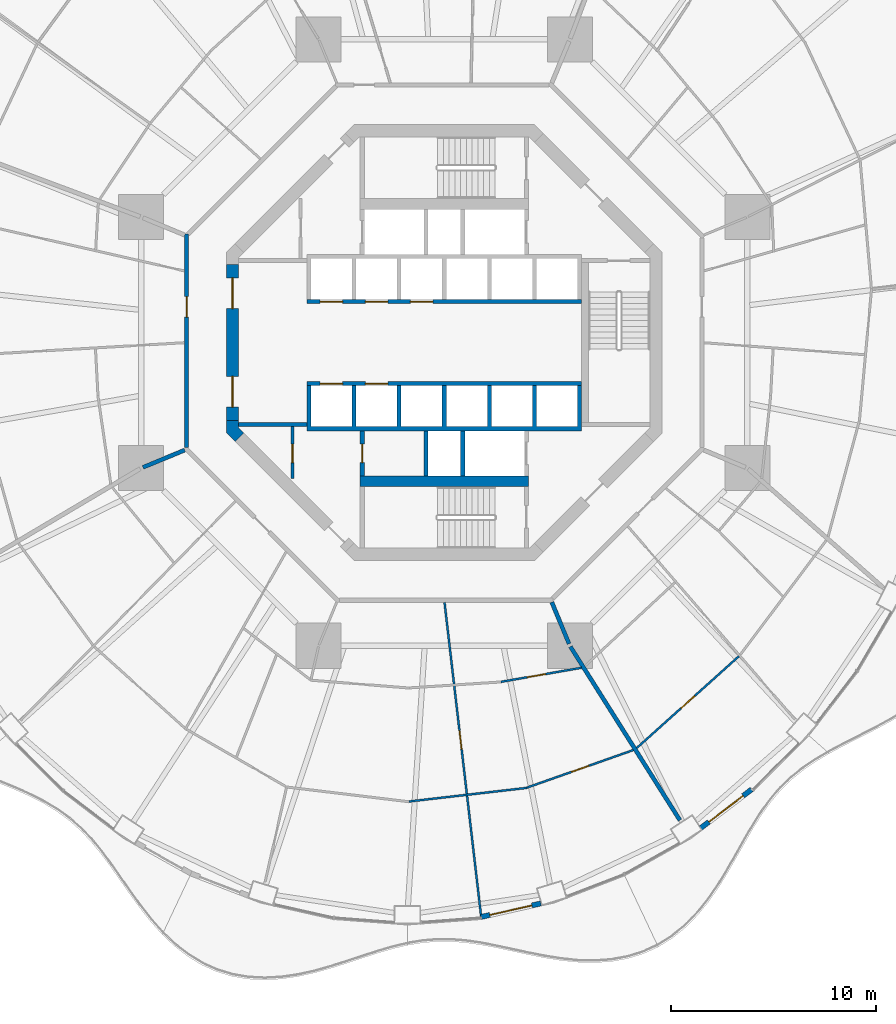
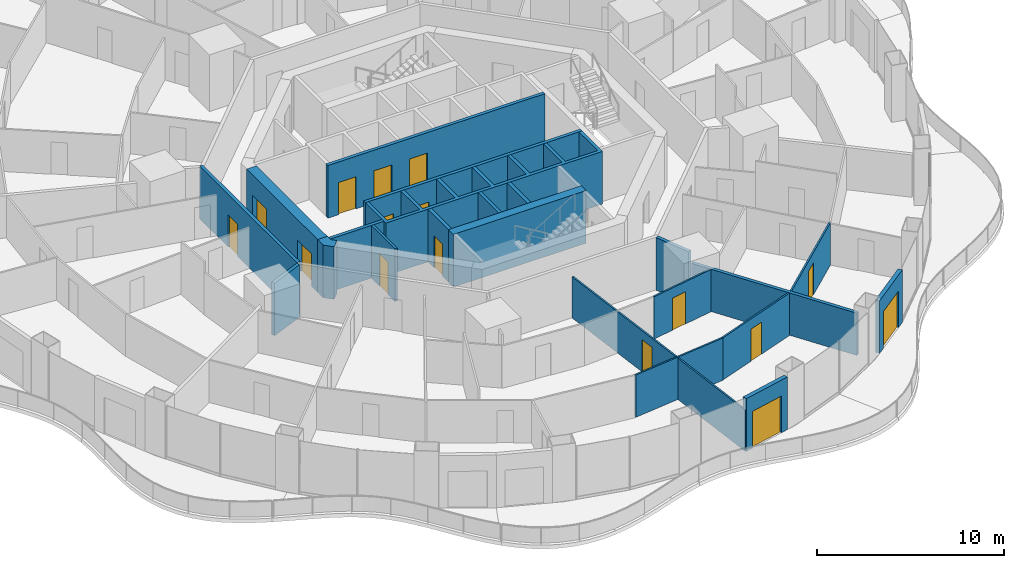
# One storey, part 15 of 22: 22 walls, 16 doors, 16 openings.
"""IFC4 building model written with IfcOpenShell, lengths in metres."""

from ifc_helpers import new_model, si_unit, direction, frame, frame_2d, origin, place, context, subcontext, project, spatial, polyline, rectangle, outline, extrude, material, layer, layer_set, type_object, element, fill, save


model = new_model("IFC4")

# Units and contexts
model_context = context("Model", 3, precision=1e-05, world=origin(), true_north=direction((0.0, 1.0)))
body_context = subcontext(model_context, "Body", "Model", "MODEL_VIEW")
ifc_project = project(units=[si_unit("LENGTHUNIT", "METRE"), si_unit("AREAUNIT", "SQUARE_METRE"), si_unit("VOLUMEUNIT", "CUBIC_METRE"), si_unit("PLANEANGLEUNIT", "RADIAN"), si_unit("MASSUNIT", "GRAM", prefix="KILO")], contexts=[model_context])

# Site, building, storey
site_placement = place(None, origin())
site = spatial("IfcSite", under=ifc_project, at=site_placement, CompositionType="ELEMENT")
building_placement = place(site_placement, origin())
building = spatial("IfcBuilding", under=site, at=building_placement, Name="Nagisa Residences", CompositionType="ELEMENT")
storey_placement = place(building_placement, frame((0.0, 0.0, 91.800048828125)))
storey = spatial("IfcBuildingStorey", under=building, at=storey_placement, Name="L22", CompositionType="ELEMENT", Elevation=91.800048828125)

# Walls
ifc_material_1 = material(Name="Gypsum board on steel studs", Category="steel")
ifc_layer_1 = layer(ifc_material_1, 0.199951171875)
ifc_layer_set_1 = layer_set([ifc_layer_1], Name="Apartment compartment wall EI60 200")
wall_type_1 = type_object("IfcWallType", Name="Apartment compartment wall EI60 200", PredefinedType="PARTITIONING", material=ifc_layer_set_1)
wall_1_placement = place(storey_placement, frame((-12.6572265625, -5.24267578125, 0.0), z_axis=(0.0, 0.0, 1.0), x_axis=(-0.923876145736, -0.382691608661, 0.0)))
element("IfcWall", 1, at=wall_1_placement, inside=storey, type_object=wall_type_1, Name="wall:L22:u04", PredefinedType="PARTITIONING", context=body_context, shape_type="SweptSolid", body=[
    extrude(rectangle(XDim=2.19970703125, YDim=0.199951171875, at=frame_2d((1.099853515625, 0.0))), origin(), (0.0, 0.0, 1.0), 3.43994140625),
])
wall_2_placement = place(storey_placement, frame((5.24267578125, -12.6572265625, 0.0), z_axis=(0.0, 0.0, 1.0), x_axis=(0.382747093259, -0.923853160736, 0.0)))
element("IfcWall", 2, at=wall_2_placement, inside=storey, type_object=wall_type_1, Name="wall:L22:u06", PredefinedType="PARTITIONING", context=body_context, shape_type="SweptSolid", body=[
    extrude(rectangle(XDim=2.199951171875, YDim=0.199951171875, at=frame_2d((1.10009765625, 0.0))), origin(), (0.0, 0.0, 1.0), 3.43994140625),
])
wall_3_placement = place(storey_placement, frame((6.149658203125, -14.824462890625, 0.0), z_axis=(0.0, 0.0, 1.0), x_axis=(0.533492589682, -0.845804739142, 0.0)))
element("IfcWall", 3, at=wall_3_placement, inside=storey, type_object=wall_type_1, Name="wall:L22:u07", PredefinedType="PARTITIONING", context=body_context, shape_type="SweptSolid", body=[
    extrude(rectangle(XDim=10.006103515625, YDim=0.199951171875, at=frame_2d((5.0029296875, 0.0))), origin(), (0.0, 0.0, 1.0), 2.761962890625),
])

# Wall, opening, door
ifc_material_2 = material(Name="Gypsum board on steel studs", Category="steel")
ifc_layer_2 = layer(ifc_material_2, 0.199951171875)
ifc_layer_set_2 = layer_set([ifc_layer_2], Name="Apartment entry wall EI60 200")
wall_type_2 = type_object("IfcWallType", Name="Apartment entry wall EI60 200", PredefinedType="PARTITIONING", material=ifc_layer_set_2)
wall_4_placement = place(storey_placement, frame((-12.564697265625, 5.304443359375, 0.0), z_axis=(0.0, 0.0, 1.0), x_axis=(0.0, -1.0, 0.0)))
wall_4 = element("IfcWall", 4, at=wall_4_placement, inside=storey, type_object=wall_type_2, Name="wall:L22:u14", PredefinedType="PARTITIONING", context=body_context, shape_type="SweptSolid", body=[
    extrude(rectangle(XDim=10.408935546875, YDim=0.199951171875, at=frame_2d((5.20458984375, 0.0))), origin(), (0.0, 0.0, 1.0), 3.43994140625),
])
opening_1_placement = place(wall_4_placement, frame((3.069580078125, 0.0, 0.0)))
opening_1 = element("IfcOpeningElement", 5, at=opening_1_placement, cuts=wall_4, Name="Opening L22-U17", PredefinedType="OPENING", context=body_context, shape_type="SweptSolid", body=[
    extrude(rectangle(XDim=1.0, YDim=2.10009765625, at=frame_2d((0.5, 1.050048828125))), frame((0.0, 0.10986328125, 0.0), z_axis=(0.0, -1.0, 0.0), x_axis=(1.0, 0.0, 0.0)), (0.0, 0.0, 1.0), 0.219970703125),
])
ifc_material_3 = material(Name="Timber fire door set", Category="wood")
door_type_1 = type_object("IfcDoorType", Name="Apartment entry door FD30S 1000x2100", OperationType="NOTDEFINED", PredefinedType="DOOR", material=ifc_material_3)
door_1_placement = place(opening_1_placement, frame((1.0, 0.0, 0.0), x_axis=(-1.0, 0.0, 0.0)))
door_1 = element("IfcDoor", 6, at=door_1_placement, inside=storey, type_object=door_type_1, Name="Entry door, Apartment 22B", OperationType="SINGLE_SWING_RIGHT", OverallHeight=2.10009765625, OverallWidth=1.0, PredefinedType="DOOR", context=body_context, shape_type="SweptSolid", body=[
    extrude(rectangle(XDim=1.0, YDim=2.10009765625, at=frame_2d((0.5, 1.050048828125))), frame((0.0, 0.02490234375, 0.0), z_axis=(0.0, -1.0, 0.0), x_axis=(1.0, 0.0, 0.0)), (0.0, 0.0, 1.0), 0.050048828125),
])
fill(opening_1, door_1)

# Wall
ifc_material_4 = material(Name="Gypsum board on steel studs", Category="steel")
ifc_layer_3 = layer(ifc_material_4, 0.10009765625)
ifc_layer_set_3 = layer_set([ifc_layer_3], Name="Apartment partition 100")
wall_type_3 = type_object("IfcWallType", Name="Apartment partition 100", PredefinedType="PARTITIONING", material=ifc_layer_set_3)
wall_5_placement = place(storey_placement, frame((-1.7255859375, -22.375244140625, 0.0), z_axis=(0.0, 0.0, 1.0), x_axis=(0.993392336919, 0.114767874207, 0.0)))
element("IfcWall", 7, at=wall_5_placement, inside=storey, type_object=wall_type_3, Name="wall:L22:u79", PredefinedType="PARTITIONING", context=body_context, shape_type="SweptSolid", body=[
    extrude(rectangle(XDim=5.801025390625, YDim=0.10009765625, at=frame_2d((2.900390625, 0.0))), origin(), (0.0, 0.0, 1.0), 2.761962890625),
])

# Wall, opening, door
wall_6_placement = place(storey_placement, frame((0.011474609375, -12.6640625, 0.0), z_axis=(0.0, 0.0, 1.0), x_axis=(0.115841404661, -0.993267722704, 0.0)))
wall_6 = element("IfcWall", 8, at=wall_6_placement, inside=storey, type_object=wall_type_3, Name="wall:L22:u80", PredefinedType="PARTITIONING", context=body_context, shape_type="SweptSolid", body=[
    extrude(rectangle(XDim=15.5283203125, YDim=0.10009765625, at=frame_2d((7.76416015625, 0.0))), origin(), (0.0, 0.0, 1.0), 2.68701171875),
])
opening_2_placement = place(wall_6_placement, frame((6.302734375, 0.0, 0.0)))
opening_2 = element("IfcOpeningElement", 9, at=opening_2_placement, cuts=wall_6, Name="Opening L22-U33", PredefinedType="OPENING", context=body_context, shape_type="SweptSolid", body=[
    extrude(rectangle(XDim=0.89990234375, YDim=2.10009765625, at=frame_2d((0.449951171875, 1.050048828125))), frame((0.0, 0.06005859375, 0.0), z_axis=(0.0, -1.0, 0.0), x_axis=(1.0, 0.0, 0.0)), (0.0, 0.0, 1.0), 0.1201171875),
])
ifc_material_5 = material(Name="Timber door set", Category="wood")
door_type_2 = type_object("IfcDoorType", Name="Apartment door 900x2100", OperationType="NOTDEFINED", PredefinedType="DOOR", material=ifc_material_5)
door_2_placement = place(opening_2_placement, origin())
door_2 = element("IfcDoor", 10, at=door_2_placement, inside=storey, type_object=door_type_2, Name="Door to kitchen, Apartment 22C", OperationType="SINGLE_SWING_LEFT", OverallHeight=2.10009765625, OverallWidth=0.89990234375, PredefinedType="DOOR", context=body_context, shape_type="SweptSolid", body=[
    extrude(rectangle(XDim=0.89990234375, YDim=2.10009765625, at=frame_2d((0.449951171875, 1.050048828125))), frame((0.0, 0.02490234375, 0.0), z_axis=(0.0, -1.0, 0.0), x_axis=(1.0, 0.0, 0.0)), (0.0, 0.0, 1.0), 0.050048828125),
])
fill(opening_2, door_2)

wall_7_placement = place(storey_placement, frame((2.76513671875, -16.541015625, 0.0), z_axis=(0.0, 0.0, 1.0), x_axis=(0.984998714702, 0.172561676036, 0.0)))
wall_7 = element("IfcWall", 11, at=wall_7_placement, inside=storey, type_object=wall_type_3, Name="wall:L22:u81", PredefinedType="PARTITIONING", context=body_context, shape_type="SweptSolid", body=[
    extrude(rectangle(XDim=3.984130859375, YDim=0.10009765625, at=frame_2d((1.9921875, 0.0))), origin(), (0.0, 0.0, 1.0), 2.761962890625),
])
opening_3_placement = place(wall_7_placement, frame((1.3037109375, 0.0, 0.0)))
opening_3 = element("IfcOpeningElement", 12, at=opening_3_placement, cuts=wall_7, Name="Opening L22-U36", PredefinedType="OPENING", context=body_context, shape_type="SweptSolid", body=[
    extrude(rectangle(XDim=0.89990234375, YDim=2.10009765625, at=frame_2d((0.449951171875, 1.050048828125))), frame((0.0, 0.06005859375, 0.0), z_axis=(0.0, -1.0, 0.0), x_axis=(1.0, 0.0, 0.0)), (0.0, 0.0, 1.0), 0.1201171875),
])
door_3_placement = place(opening_3_placement, origin())
door_3 = element("IfcDoor", 13, at=door_3_placement, inside=storey, type_object=door_type_2, Name="Door to laundry, Apartment 22C", OperationType="SINGLE_SWING_RIGHT", OverallHeight=2.10009765625, OverallWidth=0.89990234375, PredefinedType="DOOR", context=body_context, shape_type="SweptSolid", body=[
    extrude(rectangle(XDim=0.89990234375, YDim=2.10009765625, at=frame_2d((0.449951171875, 1.050048828125))), frame((0.0, 0.02490234375, 0.0), z_axis=(0.0, -1.0, 0.0), x_axis=(1.0, 0.0, 0.0)), (0.0, 0.0, 1.0), 0.050048828125),
])
fill(opening_3, door_3)

wall_8_placement = place(storey_placement, frame((4.034423828125, -21.698486328125, 0.0), z_axis=(0.0, 0.0, 1.0), x_axis=(0.942861482644, 0.33318497047, 0.0)))
wall_8 = element("IfcWall", 14, at=wall_8_placement, inside=storey, type_object=wall_type_3, Name="wall:L22:u82", PredefinedType="PARTITIONING", context=body_context, shape_type="SweptSolid", body=[
    extrude(rectangle(XDim=5.494873046875, YDim=0.10009765625, at=frame_2d((2.74755859375, 0.0))), origin(), (0.0, 0.0, 1.0), 2.761962890625),
])
opening_4_placement = place(wall_8_placement, frame((2.29736328125, 0.0, 0.0)))
opening_4 = element("IfcOpeningElement", 15, at=opening_4_placement, cuts=wall_8, Name="Opening L22-U34", PredefinedType="OPENING", context=body_context, shape_type="SweptSolid", body=[
    extrude(rectangle(XDim=0.89990234375, YDim=2.10009765625, at=frame_2d((0.449951171875, 1.050048828125))), frame((0.0, 0.06005859375, 0.0), z_axis=(0.0, -1.0, 0.0), x_axis=(1.0, 0.0, 0.0)), (0.0, 0.0, 1.0), 0.1201171875),
])
door_4_placement = place(opening_4_placement, frame((0.89990234375, 0.0, 0.0), x_axis=(-1.0, 0.0, 0.0)))
door_4 = element("IfcDoor", 16, at=door_4_placement, inside=storey, type_object=door_type_2, Name="Door to family room, Apartment 22C", OperationType="SINGLE_SWING_LEFT", OverallHeight=2.10009765625, OverallWidth=0.89990234375, PredefinedType="DOOR", context=body_context, shape_type="SweptSolid", body=[
    extrude(rectangle(XDim=0.89990234375, YDim=2.10009765625, at=frame_2d((0.449951171875, 1.050048828125))), frame((0.0, 0.02490234375, 0.0), z_axis=(0.0, -1.0, 0.0), x_axis=(1.0, 0.0, 0.0)), (0.0, 0.0, 1.0), 0.050048828125),
])
fill(opening_4, door_4)

wall_9_placement = place(storey_placement, frame((9.384033203125, -19.767578125, 0.0), z_axis=(0.0, 0.0, 1.0), x_axis=(0.74387407395, 0.668319805262, 0.0)))
wall_9 = element("IfcWall", 17, at=wall_9_placement, inside=storey, type_object=wall_type_3, Name="wall:L22:u84", PredefinedType="PARTITIONING", context=body_context, shape_type="SweptSolid", body=[
    extrude(rectangle(XDim=6.6953125, YDim=0.10009765625, at=frame_2d((3.34765625, 0.0))), origin(), (0.0, 0.0, 1.0), 2.761962890625),
])
opening_5_placement = place(wall_9_placement, frame((2.897705078125, 0.0, 0.0)))
opening_5 = element("IfcOpeningElement", 18, at=opening_5_placement, cuts=wall_9, Name="Opening L22-U42", PredefinedType="OPENING", context=body_context, shape_type="SweptSolid", body=[
    extrude(rectangle(XDim=0.89990234375, YDim=2.10009765625, at=frame_2d((0.449951171875, 1.050048828125))), frame((0.0, 0.06005859375, 0.0), z_axis=(0.0, -1.0, 0.0), x_axis=(1.0, 0.0, 0.0)), (0.0, 0.0, 1.0), 0.1201171875),
])
door_5_placement = place(opening_5_placement, frame((0.89990234375, 0.0, 0.0), x_axis=(-1.0, 0.0, 0.0)))
door_5 = element("IfcDoor", 19, at=door_5_placement, inside=storey, type_object=door_type_2, Name="Door to family room, Apartment 22D", OperationType="SINGLE_SWING_LEFT", OverallHeight=2.10009765625, OverallWidth=0.89990234375, PredefinedType="DOOR", context=body_context, shape_type="SweptSolid", body=[
    extrude(rectangle(XDim=0.89990234375, YDim=2.10009765625, at=frame_2d((0.449951171875, 1.050048828125))), frame((0.0, 0.02490234375, 0.0), z_axis=(0.0, -1.0, 0.0), x_axis=(1.0, 0.0, 0.0)), (0.0, 0.0, 1.0), 0.050048828125),
])
fill(opening_5, door_5)

ifc_material_6 = material(Name="Precast concrete C40/50", Category="concrete")
ifc_layer_4 = layer(ifc_material_6, 0.25)
ifc_layer_set_4 = layer_set([ifc_layer_4], Name="BALCONY DOOR WALL 250")
wall_type_4 = type_object("IfcWallType", Name="BALCONY DOOR WALL 250", PredefinedType="SOLIDWALL", material=ifc_layer_set_4)
wall_10_placement = place(storey_placement, frame((4.70654296875, -27.344970703125, 0.0), z_axis=(0.0, 0.0, 1.0), x_axis=(-0.975317607872, -0.220806620767, 0.0)))
wall_10 = element("IfcWall", 20, at=wall_10_placement, inside=storey, type_object=wall_type_4, Name="wall:L22:bay37", PredefinedType="SOLIDWALL", context=body_context, shape_type="SweptSolid", body=[
    extrude(rectangle(XDim=2.9931640625, YDim=0.25, at=frame_2d((1.49658203125, 0.0))), origin(), (0.0, 0.0, 1.0), 3.43994140625),
])
opening_6_placement = place(wall_10_placement, frame((0.446533203125, 0.0, 0.0)))
opening_6 = element("IfcOpeningElement", 21, at=opening_6_placement, cuts=wall_10, Name="Opening BD-L22-13", PredefinedType="OPENING", context=body_context, shape_type="SweptSolid", body=[
    extrude(rectangle(XDim=2.10009765625, YDim=2.39990234375, at=frame_2d((1.050048828125, 1.199951171875))), frame((0.0, 0.135009765625, 0.0), z_axis=(0.0, -1.0, 0.0), x_axis=(1.0, 0.0, 0.0)), (0.0, 0.0, 1.0), 0.27001953125),
])
ifc_material_7 = material(Name="Aluminium and clear glass", Category="aluminium")
door_type_3 = type_object("IfcDoorType", Name="BALCONY SLIDING DOOR 2100x2400", OperationType="SLIDING_TO_LEFT", PredefinedType="DOOR", material=ifc_material_7)
door_6_placement = place(opening_6_placement, origin())
door_6 = element("IfcDoor", 22, at=door_6_placement, inside=storey, type_object=door_type_3, Name="door:L22:bay37", OperationType="SLIDING_TO_LEFT", OverallHeight=2.39990234375, OverallWidth=2.10009765625, PredefinedType="DOOR", context=body_context, shape_type="SweptSolid", body=[
    extrude(rectangle(XDim=2.10009765625, YDim=2.39990234375, at=frame_2d((1.050048828125, 1.199951171875))), frame((0.0, 0.02490234375, 0.0), z_axis=(0.0, -1.0, 0.0), x_axis=(1.0, 0.0, 0.0)), (0.0, 0.0, 1.0), 0.050048828125),
])
fill(opening_6, door_6)

wall_11_placement = place(storey_placement, frame((14.98388671875, -21.785400390625, 0.0), z_axis=(0.0, 0.0, 1.0), x_axis=(-0.796037575978, -0.605247203736, 0.0)))
wall_11 = element("IfcWall", 23, at=wall_11_placement, inside=storey, type_object=wall_type_4, Name="wall:L22:bay40", PredefinedType="SOLIDWALL", context=body_context, shape_type="SweptSolid", body=[
    extrude(rectangle(XDim=3.1337890625, YDim=0.25, at=frame_2d((1.56689453125, 0.0))), origin(), (0.0, 0.0, 1.0), 3.43994140625),
])
opening_7_placement = place(wall_11_placement, frame((0.51708984375, 0.0, 0.0)))
opening_7 = element("IfcOpeningElement", 24, at=opening_7_placement, cuts=wall_11, Name="Opening BD-L22-14", PredefinedType="OPENING", context=body_context, shape_type="SweptSolid", body=[
    extrude(rectangle(XDim=2.10009765625, YDim=2.39990234375, at=frame_2d((1.050048828125, 1.199951171875))), frame((0.0, 0.135009765625, 0.0), z_axis=(0.0, -1.0, 0.0), x_axis=(1.0, 0.0, 0.0)), (0.0, 0.0, 1.0), 0.27001953125),
])
door_7_placement = place(opening_7_placement, origin())
door_7 = element("IfcDoor", 25, at=door_7_placement, inside=storey, type_object=door_type_3, Name="door:L22:bay40", OperationType="SLIDING_TO_LEFT", OverallHeight=2.39990234375, OverallWidth=2.10009765625, PredefinedType="DOOR", context=body_context, shape_type="SweptSolid", body=[
    extrude(rectangle(XDim=2.10009765625, YDim=2.39990234375, at=frame_2d((1.050048828125, 1.199951171875))), frame((0.0, 0.02490234375, 0.0), z_axis=(0.0, -1.0, 0.0), x_axis=(1.0, 0.0, 0.0)), (0.0, 0.0, 1.0), 0.050048828125),
])
fill(opening_7, door_7)

ifc_material_8 = material(Name="Gypsum board on steel studs", Category="steel")
ifc_layer_5 = layer(ifc_material_8, 0.14990234375)
ifc_layer_set_5 = layer_set([ifc_layer_5], Name="Core partition 150")
wall_type_5 = type_object("IfcWallType", Name="Core partition 150", PredefinedType="PARTITIONING", material=ifc_layer_set_5)
wall_12_placement = place(storey_placement, frame((-7.39990234375, -6.626953125, 0.0), z_axis=(0.0, 0.0, 1.0), x_axis=(0.0, 1.0, 0.0)))
wall_12 = element("IfcWall", 26, at=wall_12_placement, inside=storey, type_object=wall_type_5, Name="wall:L22:SWp", PredefinedType="PARTITIONING", context=body_context, shape_type="SweptSolid", body=[
    extrude(rectangle(XDim=2.52685546875, YDim=0.14990234375, at=frame_2d((1.263427734375, 0.0))), origin(), (0.0, 0.0, 1.0), 3.43994140625),
])
opening_8_placement = place(wall_12_placement, frame((0.77587890625, 0.0, 0.0)))
opening_8 = element("IfcOpeningElement", 27, at=opening_8_placement, cuts=wall_12, Name="Opening L22-C13", PredefinedType="OPENING", context=body_context, shape_type="SweptSolid", body=[
    extrude(rectangle(XDim=0.89990234375, YDim=2.10009765625, at=frame_2d((0.449951171875, 1.050048828125))), frame((0.0, 0.0849609375, 0.0), z_axis=(0.0, -1.0, 0.0), x_axis=(1.0, 0.0, 0.0)), (0.0, 0.0, 1.0), 0.169921875),
])
ifc_material_9 = material(Name="Steel fire door", Category="steel")
door_type_4 = type_object("IfcDoorType", Name="Fire door EI30 900x2100 single swing", OperationType="NOTDEFINED", PredefinedType="DOOR", material=ifc_material_9)
door_8_placement = place(opening_8_placement, origin())
door_8 = element("IfcDoor", 28, at=door_8_placement, inside=storey, type_object=door_type_4, Name="Valet store door L22", OperationType="SINGLE_SWING_RIGHT", OverallHeight=2.10009765625, OverallWidth=0.89990234375, PredefinedType="DOOR", context=body_context, shape_type="SweptSolid", body=[
    extrude(rectangle(XDim=0.89990234375, YDim=2.10009765625, at=frame_2d((0.449951171875, 1.050048828125))), frame((0.0, 0.02490234375, 0.0), z_axis=(0.0, -1.0, 0.0), x_axis=(1.0, 0.0, 0.0)), (0.0, 0.0, 1.0), 0.050048828125),
])
fill(opening_8, door_8)

# Wall
ifc_material_10 = material(Name="Gypsum board on steel studs", Category="steel")
ifc_layer_6 = layer(ifc_material_10, 0.199951171875)
ifc_layer_set_6 = layer_set([ifc_layer_6], Name="Core partition 200")
wall_type_6 = type_object("IfcWallType", Name="Core partition 200", PredefinedType="PARTITIONING", material=ifc_layer_set_6)
wall_13_placement = place(storey_placement, frame((-10.024658203125, -4.0, 0.0), z_axis=(0.0, 0.0, 1.0), x_axis=(1.0, 0.0, 0.0)))
element("IfcWall", 29, at=wall_13_placement, inside=storey, type_object=wall_type_6, Name="wall:L22:PSW", PredefinedType="PARTITIONING", context=body_context, shape_type="SweptSolid", body=[
    extrude(rectangle(XDim=3.32470703125, YDim=0.199951171875, at=frame_2d((1.662353515625, 0.0))), origin(), (0.0, 0.0, 1.0), 3.43994140625),
])

# Wall, openings, doors
ifc_material_11 = material(Name="Concrete C60", Category="concrete")
ifc_layer_7 = layer(ifc_material_11, 0.60009765625)
ifc_layer_set_7 = layer_set([ifc_layer_7], Name="Core shear wall 600")
wall_type_7 = type_object("IfcWallType", Name="Core shear wall 600", PredefinedType="SHEAR", material=ifc_layer_set_7)
wall_14_placement = place(storey_placement, frame((-10.32470703125, 3.80078125, 0.0), z_axis=(0.0, 0.0, 1.0), x_axis=(0.0, -1.0, 0.0)))
wall_14 = element("IfcWall", 30, at=wall_14_placement, inside=storey, type_object=wall_type_7, Name="wall:L22:core:flat4", PredefinedType="SHEAR", context=body_context, shape_type="SweptSolid", body=[
    extrude(rectangle(XDim=7.6015625, YDim=0.60009765625, at=frame_2d((3.80078125, 0.0))), origin(), (0.0, 0.0, 1.0), 3.43994140625),
])
opening_9_placement = place(wall_14_placement, frame((0.65087890625, 0.0, 0.0)))
opening_9 = element("IfcOpeningElement", 31, at=opening_9_placement, cuts=wall_14, Name="Opening L22-C17", PredefinedType="OPENING", context=body_context, shape_type="SweptSolid", body=[
    extrude(rectangle(XDim=1.5, YDim=2.10009765625, at=frame_2d((0.75, 1.050048828125))), frame((0.0, 0.31005859375, 0.0), z_axis=(0.0, -1.0, 0.0), x_axis=(1.0, 0.0, 0.0)), (0.0, 0.0, 1.0), 0.6201171875),
])
opening_10_placement = place(wall_14_placement, frame((5.450927734375, 0.0, 0.0)))
opening_10 = element("IfcOpeningElement", 32, at=opening_10_placement, cuts=wall_14, Name="Opening L22-C18", PredefinedType="OPENING", context=body_context, shape_type="SweptSolid", body=[
    extrude(rectangle(XDim=1.5, YDim=2.10009765625, at=frame_2d((0.75, 1.050048828125))), frame((0.0, 0.31005859375, 0.0), z_axis=(0.0, -1.0, 0.0), x_axis=(1.0, 0.0, 0.0)), (0.0, 0.0, 1.0), 0.6201171875),
])
ifc_material_12 = material(Name="Steel fire door", Category="steel")
door_type_5 = type_object("IfcDoorType", Name="Fire door EI60 1500x2100 double door single swing", OperationType="DOUBLE_DOOR_SINGLE_SWING", PredefinedType="DOOR", material=ifc_material_12)
door_9_placement = place(opening_9_placement, origin())
door_9 = element("IfcDoor", 33, at=door_9_placement, inside=storey, type_object=door_type_5, Name="Lift lobby door L22 1", OperationType="DOUBLE_DOOR_SINGLE_SWING", OverallHeight=2.10009765625, OverallWidth=1.5, PredefinedType="DOOR", context=body_context, shape_type="SweptSolid", body=[
    extrude(rectangle(XDim=1.5, YDim=2.10009765625, at=frame_2d((0.75, 1.050048828125))), frame((0.0, 0.02490234375, 0.0), z_axis=(0.0, -1.0, 0.0), x_axis=(1.0, 0.0, 0.0)), (0.0, 0.0, 1.0), 0.050048828125),
])
fill(opening_9, door_9)
door_10_placement = place(opening_10_placement, origin())
door_10 = element("IfcDoor", 34, at=door_10_placement, inside=storey, type_object=door_type_5, Name="Lift lobby door L22 2", OperationType="DOUBLE_DOOR_SINGLE_SWING", OverallHeight=2.10009765625, OverallWidth=1.5, PredefinedType="DOOR", context=body_context, shape_type="SweptSolid", body=[
    extrude(rectangle(XDim=1.5, YDim=2.10009765625, at=frame_2d((0.75, 1.050048828125))), frame((0.0, 0.02490234375, 0.0), z_axis=(0.0, -1.0, 0.0), x_axis=(1.0, 0.0, 0.0)), (0.0, 0.0, 1.0), 0.050048828125),
])
fill(opening_10, door_10)

# Wall
wall_15_placement = place(storey_placement, origin())
element("IfcWall", 35, at=wall_15_placement, inside=storey, type_object=wall_type_7, Name="wall:L22:core:pier4", PredefinedType="SHEAR", context=body_context, shape_type="SweptSolid", body=[
    extrude(outline(polyline([(-10.62451171875, -3.80078125), (-10.024658203125, -3.80078125), (-10.024658203125, -4.15234375), (-9.776123046875, -4.40087890625), (-10.200439453125, -4.8251953125), (-10.62451171875, -4.40087890625), (-10.62451171875, -3.80078125)])), origin(), (0.0, 0.0, 1.0), 3.43994140625),
])

# Wall, openings, doors
ifc_material_13 = material(Name="Concrete C60", Category="concrete")
ifc_layer_8 = layer(ifc_material_13, 0.199951171875)
ifc_layer_set_8 = layer_set([ifc_layer_8], Name="Lift shaft wall 200")
wall_type_8 = type_object("IfcWallType", Name="Lift shaft wall 200", PredefinedType="SOLIDWALL", material=ifc_layer_set_8)
wall_16_placement = place(storey_placement, frame((-6.699951171875, 2.0, 0.0), z_axis=(0.0, 0.0, 1.0), x_axis=(1.0, 0.0, 0.0)))
wall_16 = element("IfcWall", 36, at=wall_16_placement, inside=storey, type_object=wall_type_8, Name="wall:L22:Nfront", PredefinedType="SOLIDWALL", context=body_context, shape_type="SweptSolid", body=[
    extrude(rectangle(XDim=13.39990234375, YDim=0.199951171875, at=frame_2d((6.699951171875, 0.0))), origin(), (0.0, 0.0, 1.0), 3.43994140625),
])
opening_11_placement = place(wall_16_placement, frame((0.64990234375, 0.0, 0.0)))
opening_11 = element("IfcOpeningElement", 37, at=opening_11_placement, cuts=wall_16, Name="Opening L22-C01", PredefinedType="OPENING", context=body_context, shape_type="SweptSolid", body=[
    extrude(rectangle(XDim=1.10009765625, YDim=2.10009765625, at=frame_2d((0.550048828125, 1.050048828125))), frame((0.0, 0.10986328125, 0.0), z_axis=(0.0, -1.0, 0.0), x_axis=(1.0, 0.0, 0.0)), (0.0, 0.0, 1.0), 0.219970703125),
])
opening_12_placement = place(wall_16_placement, frame((2.85009765625, 0.0, 0.0)))
opening_12 = element("IfcOpeningElement", 38, at=opening_12_placement, cuts=wall_16, Name="Opening L22-C02", PredefinedType="OPENING", context=body_context, shape_type="SweptSolid", body=[
    extrude(rectangle(XDim=1.10009765625, YDim=2.10009765625, at=frame_2d((0.550048828125, 1.050048828125))), frame((0.0, 0.10986328125, 0.0), z_axis=(0.0, -1.0, 0.0), x_axis=(1.0, 0.0, 0.0)), (0.0, 0.0, 1.0), 0.219970703125),
])
opening_13_placement = place(wall_16_placement, frame((5.050048828125, 0.0, 0.0)))
opening_13 = element("IfcOpeningElement", 39, at=opening_13_placement, cuts=wall_16, Name="Opening L22-C03", PredefinedType="OPENING", context=body_context, shape_type="SweptSolid", body=[
    extrude(rectangle(XDim=1.10009765625, YDim=2.10009765625, at=frame_2d((0.550048828125, 1.050048828125))), frame((0.0, 0.10986328125, 0.0), z_axis=(0.0, -1.0, 0.0), x_axis=(1.0, 0.0, 0.0)), (0.0, 0.0, 1.0), 0.219970703125),
])
ifc_material_14 = material(Name="Stainless steel", Category="steel")
door_type_6 = type_object("IfcDoorType", Name="Lift landing door 1100x2100", OperationType="DOUBLE_DOOR_SLIDING", PredefinedType="DOOR", material=ifc_material_14)
door_11_placement = place(opening_11_placement, origin())
door_11 = element("IfcDoor", 40, at=door_11_placement, inside=storey, type_object=door_type_6, Name="Landing door A1 L22", OperationType="DOUBLE_DOOR_SLIDING", OverallHeight=2.10009765625, OverallWidth=1.10009765625, PredefinedType="DOOR", context=body_context, shape_type="SweptSolid", body=[
    extrude(rectangle(XDim=1.10009765625, YDim=2.10009765625, at=frame_2d((0.550048828125, 1.050048828125))), frame((0.0, 0.02490234375, 0.0), z_axis=(0.0, -1.0, 0.0), x_axis=(1.0, 0.0, 0.0)), (0.0, 0.0, 1.0), 0.050048828125),
])
fill(opening_11, door_11)
door_12_placement = place(opening_12_placement, origin())
door_12 = element("IfcDoor", 41, at=door_12_placement, inside=storey, type_object=door_type_6, Name="Landing door A2 L22", OperationType="DOUBLE_DOOR_SLIDING", OverallHeight=2.10009765625, OverallWidth=1.10009765625, PredefinedType="DOOR", context=body_context, shape_type="SweptSolid", body=[
    extrude(rectangle(XDim=1.10009765625, YDim=2.10009765625, at=frame_2d((0.550048828125, 1.050048828125))), frame((0.0, 0.02490234375, 0.0), z_axis=(0.0, -1.0, 0.0), x_axis=(1.0, 0.0, 0.0)), (0.0, 0.0, 1.0), 0.050048828125),
])
fill(opening_12, door_12)
door_13_placement = place(opening_13_placement, origin())
door_13 = element("IfcDoor", 42, at=door_13_placement, inside=storey, type_object=door_type_6, Name="Landing door A3 L22", OperationType="DOUBLE_DOOR_SLIDING", OverallHeight=2.10009765625, OverallWidth=1.10009765625, PredefinedType="DOOR", context=body_context, shape_type="SweptSolid", body=[
    extrude(rectangle(XDim=1.10009765625, YDim=2.10009765625, at=frame_2d((0.550048828125, 1.050048828125))), frame((0.0, 0.02490234375, 0.0), z_axis=(0.0, -1.0, 0.0), x_axis=(1.0, 0.0, 0.0)), (0.0, 0.0, 1.0), 0.050048828125),
])
fill(opening_13, door_13)

# Wall, opening, door
wall_17_placement = place(storey_placement, frame((-4.0, -6.5, 0.0), z_axis=(0.0, 0.0, 1.0), x_axis=(0.0, 1.0, 0.0)))
wall_17 = element("IfcWall", 43, at=wall_17_placement, inside=storey, type_object=wall_type_8, Name="wall:L22:Sb4", PredefinedType="SOLIDWALL", context=body_context, shape_type="SweptSolid", body=[
    extrude(rectangle(XDim=2.199951171875, YDim=0.199951171875, at=frame_2d((1.10009765625, 0.0))), origin(), (0.0, 0.0, 1.0), 3.43994140625),
])
opening_14_placement = place(wall_17_placement, frame((0.64990234375, 0.0, 0.0)))
opening_14 = element("IfcOpeningElement", 44, at=opening_14_placement, cuts=wall_17, Name="Opening L22-C14", PredefinedType="OPENING", context=body_context, shape_type="SweptSolid", body=[
    extrude(rectangle(XDim=0.89990234375, YDim=2.10009765625, at=frame_2d((0.449951171875, 1.050048828125))), frame((0.0, 0.10986328125, 0.0), z_axis=(0.0, -1.0, 0.0), x_axis=(1.0, 0.0, 0.0)), (0.0, 0.0, 1.0), 0.219970703125),
])
door_14_placement = place(opening_14_placement, frame((0.89990234375, 0.0, 0.0), x_axis=(-1.0, 0.0, 0.0)))
door_14 = element("IfcDoor", 45, at=door_14_placement, inside=storey, type_object=door_type_4, Name="Refuse room door L22", OperationType="SINGLE_SWING_LEFT", OverallHeight=2.10009765625, OverallWidth=0.89990234375, PredefinedType="DOOR", context=body_context, shape_type="SweptSolid", body=[
    extrude(rectangle(XDim=0.89990234375, YDim=2.10009765625, at=frame_2d((0.449951171875, 1.050048828125))), frame((0.0, 0.02490234375, 0.0), z_axis=(0.0, -1.0, 0.0), x_axis=(1.0, 0.0, 0.0)), (0.0, 0.0, 1.0), 0.050048828125),
])
fill(opening_14, door_14)

# Wall, openings, doors
wall_18_placement = place(storey_placement, frame((-6.699951171875, -2.0, 0.0), z_axis=(0.0, 0.0, 1.0), x_axis=(1.0, 0.0, 0.0)))
wall_18 = element("IfcWall", 46, at=wall_18_placement, inside=storey, type_object=wall_type_8, Name="wall:L22:Sfront", PredefinedType="SOLIDWALL", context=body_context, shape_type="SweptSolid", body=[
    extrude(rectangle(XDim=13.39990234375, YDim=0.199951171875, at=frame_2d((6.699951171875, 0.0))), origin(), (0.0, 0.0, 1.0), 3.43994140625),
])
opening_15_placement = place(wall_18_placement, frame((0.64990234375, 0.0, 0.0)))
opening_15 = element("IfcOpeningElement", 47, at=opening_15_placement, cuts=wall_18, Name="Opening L22-C04", PredefinedType="OPENING", context=body_context, shape_type="SweptSolid", body=[
    extrude(rectangle(XDim=1.10009765625, YDim=2.10009765625, at=frame_2d((0.550048828125, 1.050048828125))), frame((0.0, 0.10986328125, 0.0), z_axis=(0.0, -1.0, 0.0), x_axis=(1.0, 0.0, 0.0)), (0.0, 0.0, 1.0), 0.219970703125),
])
opening_16_placement = place(wall_18_placement, frame((2.85009765625, 0.0, 0.0)))
opening_16 = element("IfcOpeningElement", 48, at=opening_16_placement, cuts=wall_18, Name="Opening L22-C05", PredefinedType="OPENING", context=body_context, shape_type="SweptSolid", body=[
    extrude(rectangle(XDim=1.10009765625, YDim=2.10009765625, at=frame_2d((0.550048828125, 1.050048828125))), frame((0.0, 0.10986328125, 0.0), z_axis=(0.0, -1.0, 0.0), x_axis=(1.0, 0.0, 0.0)), (0.0, 0.0, 1.0), 0.219970703125),
])
door_15_placement = place(opening_15_placement, origin())
door_15 = element("IfcDoor", 49, at=door_15_placement, inside=storey, type_object=door_type_6, Name="Landing door A4 L22", OperationType="DOUBLE_DOOR_SLIDING", OverallHeight=2.10009765625, OverallWidth=1.10009765625, PredefinedType="DOOR", context=body_context, shape_type="SweptSolid", body=[
    extrude(rectangle(XDim=1.10009765625, YDim=2.10009765625, at=frame_2d((0.550048828125, 1.050048828125))), frame((0.0, 0.02490234375, 0.0), z_axis=(0.0, -1.0, 0.0), x_axis=(1.0, 0.0, 0.0)), (0.0, 0.0, 1.0), 0.050048828125),
])
fill(opening_15, door_15)
door_16_placement = place(opening_16_placement, origin())
door_16 = element("IfcDoor", 50, at=door_16_placement, inside=storey, type_object=door_type_6, Name="Landing door A5 L22", OperationType="DOUBLE_DOOR_SLIDING", OverallHeight=2.10009765625, OverallWidth=1.10009765625, PredefinedType="DOOR", context=body_context, shape_type="SweptSolid", body=[
    extrude(rectangle(XDim=1.10009765625, YDim=2.10009765625, at=frame_2d((0.550048828125, 1.050048828125))), frame((0.0, 0.02490234375, 0.0), z_axis=(0.0, -1.0, 0.0), x_axis=(1.0, 0.0, 0.0)), (0.0, 0.0, 1.0), 0.050048828125),
])
fill(opening_16, door_16)

# Walls
for number, where, z_axis, x_axis, name in (
    (51, (-0.89990234375, -6.5, 0.0), (0.0, 0.0, 1.0), (0.0, 1.0, 0.0), "wall:L22:Sb1"),
    (52, (0.89990234375, -6.5, 0.0), (0.0, 0.0, 1.0), (0.0, 1.0, 0.0), "wall:L22:Sb2"),
):
    element("IfcWall", number, at=place(storey_placement, frame(where, z_axis=z_axis, x_axis=x_axis)), inside=storey, type_object=wall_type_8, Name=name, PredefinedType="SOLIDWALL", context=body_context, shape_type="SweptSolid", body=[
        extrude(rectangle(XDim=2.199951171875, YDim=0.199951171875, at=frame_2d((1.10009765625, 0.0))), origin(), (0.0, 0.0, 1.0), 3.43994140625),
    ])
wall_19_placement = place(storey_placement, origin())
element("IfcWall", 53, at=wall_19_placement, inside=storey, type_object=wall_type_8, Name="wall:L22:Sback", PredefinedType="SOLIDWALL", context=body_context, shape_type="SweptSolid", body=[
    extrude(outline(polyline([(-6.699951171875, -2.10009765625), (-6.5, -2.10009765625), (-6.5, -4.10009765625), (-4.5, -4.10009765625), (-4.5, -2.10009765625), (-4.300048828125, -2.10009765625), (-4.300048828125, -4.10009765625), (-2.300048828125, -4.10009765625), (-2.300048828125, -2.10009765625), (-2.10009765625, -2.10009765625), (-2.10009765625, -4.10009765625), (-0.10009765625, -4.10009765625), (-0.10009765625, -2.10009765625), (0.10009765625, -2.10009765625), (0.10009765625, -4.10009765625), (2.10009765625, -4.10009765625), (2.10009765625, -2.10009765625), (2.300048828125, -2.10009765625), (2.300048828125, -4.10009765625), (4.300048828125, -4.10009765625), (4.300048828125, -2.10009765625), (4.5, -2.10009765625), (4.5, -4.10009765625), (6.5, -4.10009765625), (6.5, -2.10009765625), (6.699951171875, -2.10009765625), (6.699951171875, -4.300048828125), (-6.699951171875, -4.300048828125), (-6.699951171875, -2.10009765625)])), origin(), (0.0, 0.0, 1.0), 3.43994140625),
])
ifc_material_15 = material(Name="Concrete C60", Category="concrete")
ifc_layer_9 = layer(ifc_material_15, 0.199951171875)
ifc_layer_set_9 = layer_set([ifc_layer_9], Name="Stair enclosure wall 200")
wall_type_9 = type_object("IfcWallType", Name="Stair enclosure wall 200", PredefinedType="SOLIDWALL", material=ifc_layer_set_9)
wall_20_placement = place(storey_placement, origin())
element("IfcWall", 54, at=wall_20_placement, inside=storey, type_object=wall_type_9, Name="wall:L22:SS_n", PredefinedType="SOLIDWALL", context=body_context, shape_type="SweptSolid", body=[
    extrude(outline(polyline([(4.10009765625, -7.024658203125), (-4.10009765625, -7.024658203125), (-4.10009765625, -6.5), (4.10009765625, -6.5), (4.10009765625, -7.024658203125)])), origin(), (0.0, 0.0, 1.0), 3.43994140625),
])

save(model, "model.ifc")
